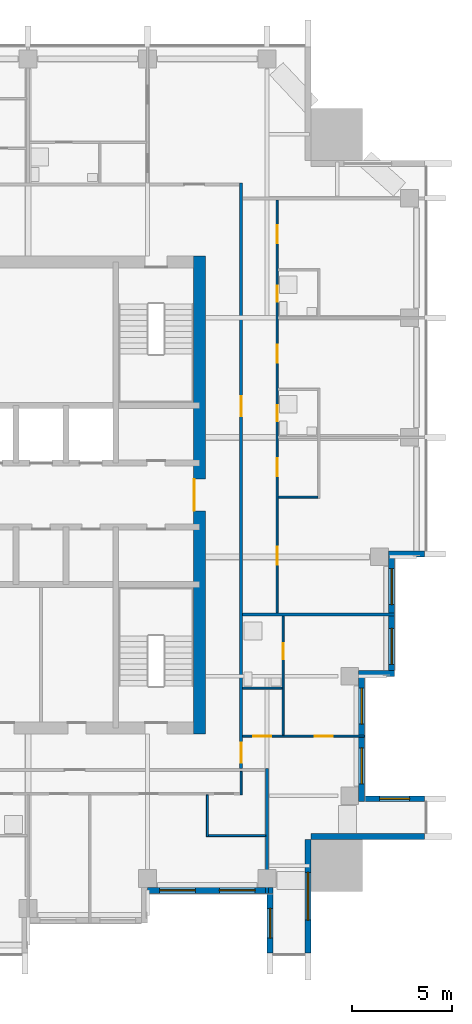
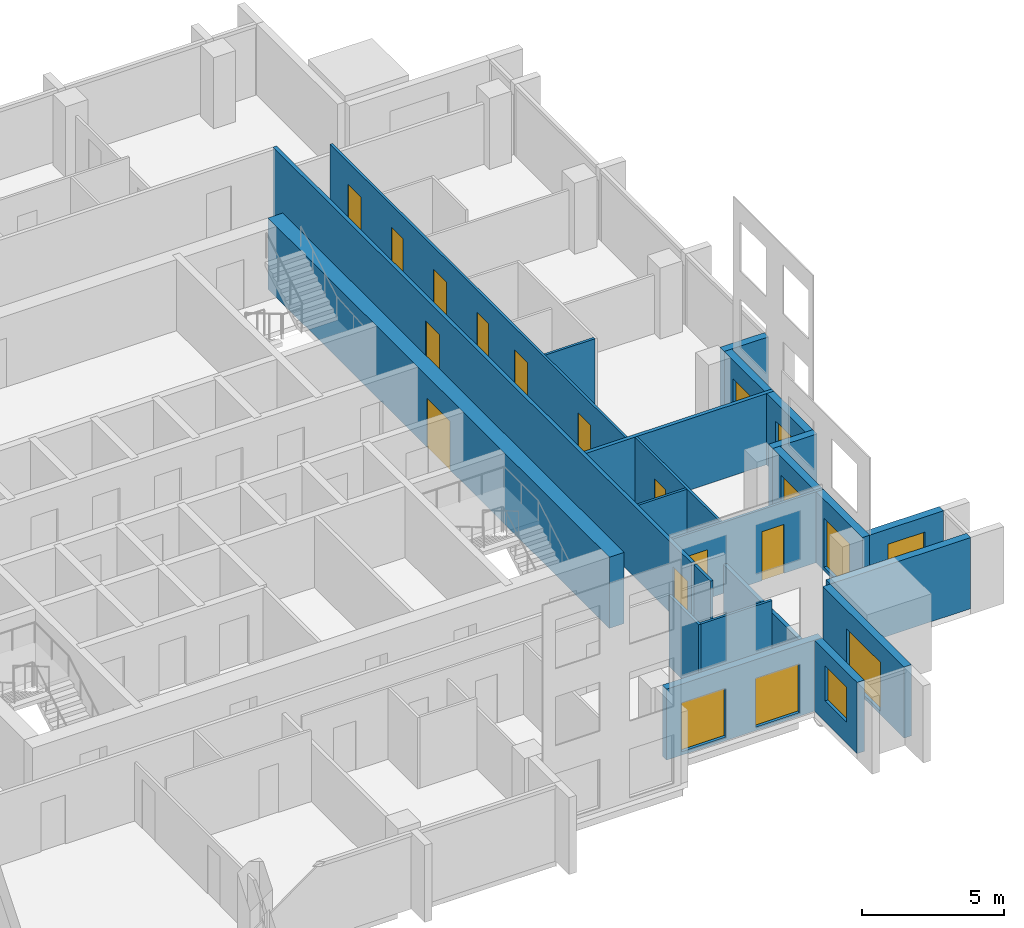
# One storey, part 6 of 12: 21 walls, 12 doors, 9 windows, 21 openings.
"""IFC4 building model written with IfcOpenShell, lengths in metres."""

from ifc_helpers import new_model, si_unit, direction, frame, frame_2d, origin, place, context, subcontext, project, spatial, rectangle, extrude, material, layer, layer_set, type_object, element, fill, save


model = new_model("IFC4")

# Units and contexts
model_context = context("Model", 3, precision=1e-05, world=origin(), true_north=direction((0.0, 1.0)))
body_context = subcontext(model_context, "Body", "Model", "MODEL_VIEW")
ifc_project = project(units=[si_unit("LENGTHUNIT", "METRE"), si_unit("AREAUNIT", "SQUARE_METRE"), si_unit("VOLUMEUNIT", "CUBIC_METRE"), si_unit("PLANEANGLEUNIT", "RADIAN"), si_unit("MASSUNIT", "GRAM", prefix="KILO")], contexts=[model_context])

# Site, building, storey
site_placement = place(None, origin())
site = spatial("IfcSite", under=ifc_project, at=site_placement, CompositionType="ELEMENT")
building_placement = place(site_placement, origin())
building = spatial("IfcBuilding", under=site, at=building_placement, Name="Amberfall Residences", CompositionType="ELEMENT")
storey_placement = place(building_placement, frame((0.0, 0.0, 187.0)))
storey = spatial("IfcBuildingStorey", under=building, at=storey_placement, Name="L49", CompositionType="ELEMENT", Elevation=187.0)

# Wall, opening, window
ifc_material_1 = material(Name="Pale stone cladding on insulated backing", Category="masonry")
ifc_layer_1 = layer(ifc_material_1, 0.300048828125)
ifc_layer_set_1 = layer_set([ifc_layer_1], Name="Bronze clad wall 300")
wall_type_1 = type_object("IfcWallType", Name="Bronze clad wall 300", PredefinedType="SOLIDWALL", material=ifc_layer_set_1)
wall_1_placement = place(storey_placement, frame((89.75, 25.5, 0.0), z_axis=(0.0, 0.0, 1.0), x_axis=(0.0, -1.0, 0.0)))
wall_1 = element("IfcWall", 1, at=wall_1_placement, inside=storey, type_object=wall_type_1, Name="External wall L49 S", PredefinedType="SOLIDWALL", context=body_context, shape_type="SweptSolid", body=[
    extrude(rectangle(XDim=3.0, YDim=0.300048828125, at=frame_2d((1.5, 0.0))), origin(), (0.0, 0.0, 1.0), 3.050048828125),
])
opening_1_placement = place(wall_1_placement, frame((0.75, 0.0, 0.89990234375)))
opening_1 = element("IfcOpeningElement", 2, at=opening_1_placement, cuts=wall_1, Name="Opening WN1", PredefinedType="OPENING", context=body_context, shape_type="SweptSolid", body=[
    extrude(rectangle(XDim=1.5, YDim=1.5, at=frame_2d((0.75, 0.75))), frame((0.0, 0.159912109375, 0.0), z_axis=(0.0, -1.0, 0.0), x_axis=(1.0, 0.0, 0.0)), (0.0, 0.0, 1.0), 0.320068359375),
])
ifc_material_2 = material(Name="Bronze aluminium framed glazing", Category="aluminium")
window_type_1 = type_object("IfcWindowType", Name="Window 1500 x 1500 bronze", PartitioningType="DOUBLE_PANEL_VERTICAL", PredefinedType="WINDOW", material=ifc_material_2)
window_1_placement = place(opening_1_placement, origin())
window_1 = element("IfcWindow", 3, at=window_1_placement, inside=storey, type_object=window_type_1, Name="Window L49 S", OverallHeight=1.5, OverallWidth=1.5, PartitioningType="DOUBLE_PANEL_VERTICAL", PredefinedType="WINDOW", context=body_context, shape_type="SweptSolid", body=[
    extrude(rectangle(XDim=1.5, YDim=1.5, at=frame_2d((0.75, 0.75))), frame((0.0, 0.030029296875, 0.0), z_axis=(0.0, -1.0, 0.0), x_axis=(1.0, 0.0, 0.0)), (0.0, 0.0, 1.0), 0.06005859375),
])
fill(opening_1, window_1)

wall_2_placement = place(storey_placement, frame((91.64990234375, 22.5, 0.0), z_axis=(0.0, 0.0, 1.0), x_axis=(0.0, 1.0, 0.0)))
wall_2 = element("IfcWall", 4, at=wall_2_placement, inside=storey, type_object=wall_type_1, Name="External wall L49 SE", PredefinedType="SOLIDWALL", context=body_context, shape_type="SweptSolid", body=[
    extrude(rectangle(XDim=5.699951171875, YDim=0.300048828125, at=frame_2d((2.85009765625, 0.0))), origin(), (0.0, 0.0, 1.0), 3.050048828125),
])
opening_2_placement = place(wall_2_placement, frame((1.64990234375, 0.0, 0.14990234375)))
opening_2 = element("IfcOpeningElement", 5, at=opening_2_placement, cuts=wall_2, Name="Opening WN5", PredefinedType="OPENING", context=body_context, shape_type="SweptSolid", body=[
    extrude(rectangle(XDim=2.39990234375, YDim=2.10009765625, at=frame_2d((1.199951171875, 1.050048828125))), frame((0.0, 0.159912109375, 0.0), z_axis=(0.0, -1.0, 0.0), x_axis=(1.0, 0.0, 0.0)), (0.0, 0.0, 1.0), 0.320068359375),
])
window_type_2 = type_object("IfcWindowType", Name="Glazed opening 2400 x 2100 bronze", PartitioningType="DOUBLE_PANEL_VERTICAL", PredefinedType="WINDOW", material=ifc_material_2)
window_2_placement = place(opening_2_placement, origin())
window_2 = element("IfcWindow", 6, at=window_2_placement, inside=storey, type_object=window_type_2, Name="Window L49 SE", OverallHeight=2.10009765625, OverallWidth=2.39990234375, PartitioningType="DOUBLE_PANEL_VERTICAL", PredefinedType="WINDOW", context=body_context, shape_type="SweptSolid", body=[
    extrude(rectangle(XDim=2.39990234375, YDim=2.10009765625, at=frame_2d((1.199951171875, 1.050048828125))), frame((0.0, 0.030029296875, 0.0), z_axis=(0.0, -1.0, 0.0), x_axis=(1.0, 0.0, 0.0)), (0.0, 0.0, 1.0), 0.06005859375),
])
fill(opening_2, window_2)

# Wall
wall_3_placement = place(storey_placement, frame((91.800048828125, 28.35009765625, 0.0), z_axis=(0.0, 0.0, 1.0), x_axis=(1.0, 0.0, 0.0)))
element("IfcWall", 7, at=wall_3_placement, inside=storey, type_object=wall_type_1, Name="External wall L49 SE", PredefinedType="SOLIDWALL", context=body_context, shape_type="SweptSolid", body=[
    extrude(rectangle(XDim=5.699951171875, YDim=0.300048828125, at=frame_2d((2.85009765625, 0.0))), origin(), (0.0, 0.0, 1.0), 3.050048828125),
])

# Wall, opening, window
wall_4_placement = place(storey_placement, frame((97.5, 30.25, 0.0), z_axis=(0.0, 0.0, 1.0), x_axis=(-1.0, 0.0, 0.0)))
wall_4 = element("IfcWall", 8, at=wall_4_placement, inside=storey, type_object=wall_type_1, Name="External wall L49 E", PredefinedType="SOLIDWALL", context=body_context, shape_type="SweptSolid", body=[
    extrude(rectangle(XDim=3.0, YDim=0.300048828125, at=frame_2d((1.5, 0.0))), origin(), (0.0, 0.0, 1.0), 3.050048828125),
])
opening_3_placement = place(wall_4_placement, frame((0.75, 0.0, 0.89990234375)))
opening_3 = element("IfcOpeningElement", 9, at=opening_3_placement, cuts=wall_4, Name="Opening WN1", PredefinedType="OPENING", context=body_context, shape_type="SweptSolid", body=[
    extrude(rectangle(XDim=1.5, YDim=1.5, at=frame_2d((0.75, 0.75))), frame((0.0, 0.159912109375, 0.0), z_axis=(0.0, -1.0, 0.0), x_axis=(1.0, 0.0, 0.0)), (0.0, 0.0, 1.0), 0.320068359375),
])
window_3_placement = place(opening_3_placement, origin())
window_3 = element("IfcWindow", 10, at=window_3_placement, inside=storey, type_object=window_type_1, Name="Window L49 E", OverallHeight=1.5, OverallWidth=1.5, PartitioningType="DOUBLE_PANEL_VERTICAL", PredefinedType="WINDOW", context=body_context, shape_type="SweptSolid", body=[
    extrude(rectangle(XDim=1.5, YDim=1.5, at=frame_2d((0.75, 0.75))), frame((0.0, 0.030029296875, 0.0), z_axis=(0.0, -1.0, 0.0), x_axis=(1.0, 0.0, 0.0)), (0.0, 0.0, 1.0), 0.06005859375),
])
fill(opening_3, window_3)

# Walls
for number, where, z_axis, x_axis, name in (
    (11, (94.199951171875, 36.550048828125, 0.0), (0.0, 0.0, 1.0), (1.0, 0.0, 0.0), "External wall L49 E"),
    (12, (95.699951171875, 42.550048828125, 0.0), (0.0, 0.0, 1.0), (1.0, 0.0, 0.0), "External wall L49 E"),
):
    element("IfcWall", number, at=place(storey_placement, frame(where, z_axis=z_axis, x_axis=x_axis)), inside=storey, type_object=wall_type_1, Name=name, PredefinedType="SOLIDWALL", context=body_context, shape_type="SweptSolid", body=[
        extrude(rectangle(XDim=1.800048828125, YDim=0.300048828125, at=frame_2d((0.89990234375, 0.0))), origin(), (0.0, 0.0, 1.0), 3.050048828125),
    ])

# Wall, openings, windows
wall_5_placement = place(storey_placement, frame((83.60009765625, 25.64990234375, 0.0), z_axis=(0.0, 0.0, 1.0), x_axis=(1.0, 0.0, 0.0)))
wall_5 = element("IfcWall", 13, at=wall_5_placement, inside=storey, type_object=wall_type_1, Name="Stone wall L49 S", PredefinedType="SOLIDWALL", context=body_context, shape_type="SweptSolid", body=[
    extrude(rectangle(XDim=6.2998046875, YDim=0.300048828125, at=frame_2d((3.14990234375, 0.0))), origin(), (0.0, 0.0, 1.0), 3.050048828125),
])
opening_4_placement = place(wall_5_placement, frame((0.60009765625, 0.0, 0.14990234375)))
opening_4 = element("IfcOpeningElement", 14, at=opening_4_placement, cuts=wall_5, Name="Opening WN6", PredefinedType="OPENING", context=body_context, shape_type="SweptSolid", body=[
    extrude(rectangle(XDim=1.800048828125, YDim=2.10009765625, at=frame_2d((0.89990234375, 1.050048828125))), frame((0.0, 0.159912109375, 0.0), z_axis=(0.0, -1.0, 0.0), x_axis=(1.0, 0.0, 0.0)), (0.0, 0.0, 1.0), 0.320068359375),
])
opening_5_placement = place(wall_5_placement, frame((3.60009765625, 0.0, 0.14990234375)))
opening_5 = element("IfcOpeningElement", 15, at=opening_5_placement, cuts=wall_5, Name="Opening WN6", PredefinedType="OPENING", context=body_context, shape_type="SweptSolid", body=[
    extrude(rectangle(XDim=1.800048828125, YDim=2.10009765625, at=frame_2d((0.89990234375, 1.050048828125))), frame((0.0, 0.159912109375, 0.0), z_axis=(0.0, -1.0, 0.0), x_axis=(1.0, 0.0, 0.0)), (0.0, 0.0, 1.0), 0.320068359375),
])
window_type_3 = type_object("IfcWindowType", Name="Glazed opening 1800 x 2100 bronze", PartitioningType="DOUBLE_PANEL_VERTICAL", PredefinedType="WINDOW", material=ifc_material_2)
window_4_placement = place(opening_4_placement, origin())
window_4 = element("IfcWindow", 16, at=window_4_placement, inside=storey, type_object=window_type_3, Name="Window L49 S", OverallHeight=2.10009765625, OverallWidth=1.800048828125, PartitioningType="DOUBLE_PANEL_VERTICAL", PredefinedType="WINDOW", context=body_context, shape_type="SweptSolid", body=[
    extrude(rectangle(XDim=1.800048828125, YDim=2.10009765625, at=frame_2d((0.89990234375, 1.050048828125))), frame((0.0, 0.030029296875, 0.0), z_axis=(0.0, -1.0, 0.0), x_axis=(1.0, 0.0, 0.0)), (0.0, 0.0, 1.0), 0.06005859375),
])
fill(opening_4, window_4)
window_5_placement = place(opening_5_placement, origin())
window_5 = element("IfcWindow", 17, at=window_5_placement, inside=storey, type_object=window_type_3, Name="Window L49 S", OverallHeight=2.10009765625, OverallWidth=1.800048828125, PartitioningType="DOUBLE_PANEL_VERTICAL", PredefinedType="WINDOW", context=body_context, shape_type="SweptSolid", body=[
    extrude(rectangle(XDim=1.800048828125, YDim=2.10009765625, at=frame_2d((0.89990234375, 1.050048828125))), frame((0.0, 0.030029296875, 0.0), z_axis=(0.0, -1.0, 0.0), x_axis=(1.0, 0.0, 0.0)), (0.0, 0.0, 1.0), 0.06005859375),
])
fill(opening_5, window_5)

wall_6_placement = place(storey_placement, frame((94.35009765625, 30.10009765625, 0.0), z_axis=(0.0, 0.0, 1.0), x_axis=(0.0, 1.0, 0.0)))
wall_6 = element("IfcWall", 18, at=wall_6_placement, inside=storey, type_object=wall_type_1, Name="Stone wall L49 E", PredefinedType="SOLIDWALL", context=body_context, shape_type="SweptSolid", body=[
    extrude(rectangle(XDim=6.2998046875, YDim=0.300048828125, at=frame_2d((3.14990234375, 0.0))), origin(), (0.0, 0.0, 1.0), 3.050048828125),
])
opening_6_placement = place(wall_6_placement, frame((0.89990234375, 0.0, 0.14990234375)))
opening_6 = element("IfcOpeningElement", 19, at=opening_6_placement, cuts=wall_6, Name="Opening WN6", PredefinedType="OPENING", context=body_context, shape_type="SweptSolid", body=[
    extrude(rectangle(XDim=1.800048828125, YDim=2.10009765625, at=frame_2d((0.89990234375, 1.050048828125))), frame((0.0, 0.159912109375, 0.0), z_axis=(0.0, -1.0, 0.0), x_axis=(1.0, 0.0, 0.0)), (0.0, 0.0, 1.0), 0.320068359375),
])
opening_7_placement = place(wall_6_placement, frame((3.89990234375, 0.0, 0.14990234375)))
opening_7 = element("IfcOpeningElement", 20, at=opening_7_placement, cuts=wall_6, Name="Opening WN6", PredefinedType="OPENING", context=body_context, shape_type="SweptSolid", body=[
    extrude(rectangle(XDim=1.800048828125, YDim=2.10009765625, at=frame_2d((0.89990234375, 1.050048828125))), frame((0.0, 0.159912109375, 0.0), z_axis=(0.0, -1.0, 0.0), x_axis=(1.0, 0.0, 0.0)), (0.0, 0.0, 1.0), 0.320068359375),
])
window_6_placement = place(opening_6_placement, origin())
window_6 = element("IfcWindow", 21, at=window_6_placement, inside=storey, type_object=window_type_3, Name="Window L49 E", OverallHeight=2.10009765625, OverallWidth=1.800048828125, PartitioningType="DOUBLE_PANEL_VERTICAL", PredefinedType="WINDOW", context=body_context, shape_type="SweptSolid", body=[
    extrude(rectangle(XDim=1.800048828125, YDim=2.10009765625, at=frame_2d((0.89990234375, 1.050048828125))), frame((0.0, 0.030029296875, 0.0), z_axis=(0.0, -1.0, 0.0), x_axis=(1.0, 0.0, 0.0)), (0.0, 0.0, 1.0), 0.06005859375),
])
fill(opening_6, window_6)
window_7_placement = place(opening_7_placement, origin())
window_7 = element("IfcWindow", 22, at=window_7_placement, inside=storey, type_object=window_type_3, Name="Window L49 E", OverallHeight=2.10009765625, OverallWidth=1.800048828125, PartitioningType="DOUBLE_PANEL_VERTICAL", PredefinedType="WINDOW", context=body_context, shape_type="SweptSolid", body=[
    extrude(rectangle(XDim=1.800048828125, YDim=2.10009765625, at=frame_2d((0.89990234375, 1.050048828125))), frame((0.0, 0.030029296875, 0.0), z_axis=(0.0, -1.0, 0.0), x_axis=(1.0, 0.0, 0.0)), (0.0, 0.0, 1.0), 0.06005859375),
])
fill(opening_7, window_7)

wall_7_placement = place(storey_placement, frame((95.85009765625, 36.699951171875, 0.0), z_axis=(0.0, 0.0, 1.0), x_axis=(0.0, 1.0, 0.0)))
wall_7 = element("IfcWall", 23, at=wall_7_placement, inside=storey, type_object=wall_type_1, Name="Stone wall L49 E", PredefinedType="SOLIDWALL", context=body_context, shape_type="SweptSolid", body=[
    extrude(rectangle(XDim=5.699951171875, YDim=0.300048828125, at=frame_2d((2.85009765625, 0.0))), origin(), (0.0, 0.0, 1.0), 3.050048828125),
])
opening_8_placement = place(wall_7_placement, frame((0.300048828125, 0.0, 0.14990234375)))
opening_8 = element("IfcOpeningElement", 24, at=opening_8_placement, cuts=wall_7, Name="Opening WN6", PredefinedType="OPENING", context=body_context, shape_type="SweptSolid", body=[
    extrude(rectangle(XDim=1.800048828125, YDim=2.10009765625, at=frame_2d((0.89990234375, 1.050048828125))), frame((0.0, 0.159912109375, 0.0), z_axis=(0.0, -1.0, 0.0), x_axis=(1.0, 0.0, 0.0)), (0.0, 0.0, 1.0), 0.320068359375),
])
opening_9_placement = place(wall_7_placement, frame((3.300048828125, 0.0, 0.14990234375)))
opening_9 = element("IfcOpeningElement", 25, at=opening_9_placement, cuts=wall_7, Name="Opening WN6", PredefinedType="OPENING", context=body_context, shape_type="SweptSolid", body=[
    extrude(rectangle(XDim=1.800048828125, YDim=2.10009765625, at=frame_2d((0.89990234375, 1.050048828125))), frame((0.0, 0.159912109375, 0.0), z_axis=(0.0, -1.0, 0.0), x_axis=(1.0, 0.0, 0.0)), (0.0, 0.0, 1.0), 0.320068359375),
])
window_8_placement = place(opening_8_placement, origin())
window_8 = element("IfcWindow", 26, at=window_8_placement, inside=storey, type_object=window_type_3, Name="Window L49 E", OverallHeight=2.10009765625, OverallWidth=1.800048828125, PartitioningType="DOUBLE_PANEL_VERTICAL", PredefinedType="WINDOW", context=body_context, shape_type="SweptSolid", body=[
    extrude(rectangle(XDim=1.800048828125, YDim=2.10009765625, at=frame_2d((0.89990234375, 1.050048828125))), frame((0.0, 0.030029296875, 0.0), z_axis=(0.0, -1.0, 0.0), x_axis=(1.0, 0.0, 0.0)), (0.0, 0.0, 1.0), 0.06005859375),
])
fill(opening_8, window_8)
window_9_placement = place(opening_9_placement, origin())
window_9 = element("IfcWindow", 27, at=window_9_placement, inside=storey, type_object=window_type_3, Name="Window L49 E", OverallHeight=2.10009765625, OverallWidth=1.800048828125, PartitioningType="DOUBLE_PANEL_VERTICAL", PredefinedType="WINDOW", context=body_context, shape_type="SweptSolid", body=[
    extrude(rectangle(XDim=1.800048828125, YDim=2.10009765625, at=frame_2d((0.89990234375, 1.050048828125))), frame((0.0, 0.030029296875, 0.0), z_axis=(0.0, -1.0, 0.0), x_axis=(1.0, 0.0, 0.0)), (0.0, 0.0, 1.0), 0.06005859375),
])
fill(opening_9, window_9)

# Wall, opening, door
ifc_material_3 = material(Name="Concrete C55", Category="concrete")
ifc_layer_2 = layer(ifc_material_3, 0.60009765625)
ifc_layer_set_2 = layer_set([ifc_layer_2], Name="Core wall 600 C55")
wall_type_2 = type_object("IfcWallType", Name="Core wall 600 C55", PredefinedType="SHEAR", material=ifc_layer_set_2)
wall_8_placement = place(storey_placement, frame((86.199951171875, 33.5, 0.0), z_axis=(0.0, 0.0, 1.0), x_axis=(0.0, 1.0, 0.0)))
wall_8 = element("IfcWall", 28, at=wall_8_placement, inside=storey, type_object=wall_type_2, Name="Core wall RW7 L49 OE", PredefinedType="SHEAR", context=body_context, shape_type="SweptSolid", body=[
    extrude(rectangle(XDim=24.0, YDim=0.60009765625, at=frame_2d((12.0, 0.0))), origin(), (0.0, 0.0, 1.0), 3.050048828125),
])
opening_10_placement = place(wall_8_placement, frame((11.199951171875, 0.0, 0.0)))
opening_10 = element("IfcOpeningElement", 29, at=opening_10_placement, cuts=wall_8, Name="Opening LB1", PredefinedType="OPENING", context=body_context, shape_type="SweptSolid", body=[
    extrude(rectangle(XDim=1.60009765625, YDim=2.10009765625, at=frame_2d((0.800048828125, 1.050048828125))), frame((0.0, 0.31005859375, 0.0), z_axis=(0.0, -1.0, 0.0), x_axis=(1.0, 0.0, 0.0)), (0.0, 0.0, 1.0), 0.6201171875),
])
ifc_material_4 = material(Name="Steel fire door set", Category="steel")
door_type_1 = type_object("IfcDoorType", Name="Lift lobby double door 1600 x 2100", OperationType="DOUBLE_DOOR_SINGLE_SWING", PredefinedType="DOOR", material=ifc_material_4)
door_1_placement = place(opening_10_placement, origin())
door_1 = element("IfcDoor", 30, at=door_1_placement, inside=storey, type_object=door_type_1, Name="LB1 L49", OperationType="DOUBLE_DOOR_SINGLE_SWING", OverallHeight=2.10009765625, OverallWidth=1.60009765625, PredefinedType="DOOR", context=body_context, shape_type="SweptSolid", body=[
    extrude(rectangle(XDim=1.60009765625, YDim=2.10009765625, at=frame_2d((0.800048828125, 1.050048828125))), frame((0.0, 0.28759765625, 0.0), z_axis=(0.0, -1.0, 0.0), x_axis=(1.0, 0.0, 0.0)), (0.0, 0.0, 1.0), 0.050048828125),
])
fill(opening_10, door_1)

# Walls
ifc_material_5 = material(Name="Gypsum board on metal stud")
ifc_layer_3 = layer(ifc_material_5, 0.10009765625)
ifc_layer_set_3 = layer_set([ifc_layer_3], Name="Flat partition 100")
wall_type_3 = type_object("IfcWallType", Name="Flat partition 100", PredefinedType="PARTITIONING", material=ifc_layer_set_3)
wall_9_placement = place(storey_placement, frame((86.60009765625, 28.35009765625, 0.0), z_axis=(0.0, 0.0, 1.0), x_axis=(0.0, 1.0, 0.0)))
element("IfcWall", 31, at=wall_9_placement, inside=storey, type_object=wall_type_3, Name="Partition 016", PredefinedType="PARTITIONING", context=body_context, shape_type="SweptSolid", body=[
    extrude(rectangle(XDim=2.099853515625, YDim=0.10009765625, at=frame_2d((1.0498046875, 0.0))), origin(), (0.0, 0.0, 1.0), 3.050048828125),
])
wall_10_placement = place(storey_placement, frame((88.300048828125, 30.449951171875, 0.0), z_axis=(0.0, 0.0, 1.0), x_axis=(0.0, 1.0, 0.0)))
element("IfcWall", 32, at=wall_10_placement, inside=storey, type_object=wall_type_3, Name="Partition 017", PredefinedType="PARTITIONING", context=body_context, shape_type="SweptSolid", body=[
    extrude(rectangle(XDim=1.175048828125, YDim=0.10009765625, at=frame_2d((0.58740234375, 0.0))), origin(), (0.0, 0.0, 1.0), 3.050048828125),
])

# Wall, openings, doors
wall_11_placement = place(storey_placement, frame((90.10009765625, 60.324951171875, 0.0), z_axis=(0.0, 0.0, 1.0), x_axis=(0.0, -1.0, 0.0)))
wall_11 = element("IfcWall", 33, at=wall_11_placement, inside=storey, type_object=wall_type_3, Name="Partition 018", PredefinedType="PARTITIONING", context=body_context, shape_type="SweptSolid", body=[
    extrude(rectangle(XDim=20.75, YDim=0.10009765625, at=frame_2d((10.375, 0.0))), origin(), (0.0, 0.0, 1.0), 3.050048828125),
])
opening_11_placement = place(wall_11_placement, frame((17.425048828125, 0.0, 0.0)))
opening_11 = element("IfcOpeningElement", 34, at=opening_11_placement, cuts=wall_11, Name="Opening D41", PredefinedType="OPENING", context=body_context, shape_type="SweptSolid", body=[
    extrude(rectangle(XDim=0.89990234375, YDim=2.10009765625, at=frame_2d((0.449951171875, 1.050048828125))), frame((0.0, 0.06005859375, 0.0), z_axis=(0.0, -1.0, 0.0), x_axis=(1.0, 0.0, 0.0)), (0.0, 0.0, 1.0), 0.1201171875),
])
opening_12_placement = place(wall_11_placement, frame((12.97509765625, 0.0, 0.0)))
opening_12 = element("IfcOpeningElement", 35, at=opening_12_placement, cuts=wall_11, Name="Opening D41", PredefinedType="OPENING", context=body_context, shape_type="SweptSolid", body=[
    extrude(rectangle(XDim=0.89990234375, YDim=2.10009765625, at=frame_2d((0.449951171875, 1.050048828125))), frame((0.0, 0.06005859375, 0.0), z_axis=(0.0, -1.0, 0.0), x_axis=(1.0, 0.0, 0.0)), (0.0, 0.0, 1.0), 0.1201171875),
])
opening_13_placement = place(wall_11_placement, frame((7.27490234375, 0.0, 0.0)))
opening_13 = element("IfcOpeningElement", 36, at=opening_13_placement, cuts=wall_11, Name="Opening D41", PredefinedType="OPENING", context=body_context, shape_type="SweptSolid", body=[
    extrude(rectangle(XDim=0.89990234375, YDim=2.10009765625, at=frame_2d((0.449951171875, 1.050048828125))), frame((0.0, 0.06005859375, 0.0), z_axis=(0.0, -1.0, 0.0), x_axis=(1.0, 0.0, 0.0)), (0.0, 0.0, 1.0), 0.1201171875),
])
opening_14_placement = place(wall_11_placement, frame((1.27490234375, 0.0, 0.0)))
opening_14 = element("IfcOpeningElement", 37, at=opening_14_placement, cuts=wall_11, Name="Opening D41", PredefinedType="OPENING", context=body_context, shape_type="SweptSolid", body=[
    extrude(rectangle(XDim=0.89990234375, YDim=2.10009765625, at=frame_2d((0.449951171875, 1.050048828125))), frame((0.0, 0.06005859375, 0.0), z_axis=(0.0, -1.0, 0.0), x_axis=(1.0, 0.0, 0.0)), (0.0, 0.0, 1.0), 0.1201171875),
])
opening_15_placement = place(wall_11_placement, frame((10.324951171875, 0.0, 0.0)))
opening_15 = element("IfcOpeningElement", 38, at=opening_15_placement, cuts=wall_11, Name="Opening D42", PredefinedType="OPENING", context=body_context, shape_type="SweptSolid", body=[
    extrude(rectangle(XDim=0.800048828125, YDim=2.10009765625, at=frame_2d((0.39990234375, 1.050048828125))), frame((0.0, 0.06005859375, 0.0), z_axis=(0.0, -1.0, 0.0), x_axis=(1.0, 0.0, 0.0)), (0.0, 0.0, 1.0), 0.1201171875),
])
opening_16_placement = place(wall_11_placement, frame((4.324951171875, 0.0, 0.0)))
opening_16 = element("IfcOpeningElement", 39, at=opening_16_placement, cuts=wall_11, Name="Opening D42", PredefinedType="OPENING", context=body_context, shape_type="SweptSolid", body=[
    extrude(rectangle(XDim=0.800048828125, YDim=2.10009765625, at=frame_2d((0.39990234375, 1.050048828125))), frame((0.0, 0.06005859375, 0.0), z_axis=(0.0, -1.0, 0.0), x_axis=(1.0, 0.0, 0.0)), (0.0, 0.0, 1.0), 0.1201171875),
])
ifc_material_6 = material(Name="Timber", Category="wood")
door_type_2 = type_object("IfcDoorType", Name="Bathroom door 800 x 2100", OperationType="SINGLE_SWING_LEFT", PredefinedType="DOOR", material=ifc_material_6)
door_2_placement = place(opening_15_placement, origin())
door_2 = element("IfcDoor", 40, at=door_2_placement, inside=storey, type_object=door_type_2, Name="Door 4904 bath1", OperationType="SINGLE_SWING_LEFT", OverallHeight=2.10009765625, OverallWidth=0.800048828125, PredefinedType="DOOR", context=body_context, shape_type="SweptSolid", body=[
    extrude(rectangle(XDim=0.800048828125, YDim=2.10009765625, at=frame_2d((0.39990234375, 1.050048828125))), frame((0.0, 0.02490234375, 0.0), z_axis=(0.0, -1.0, 0.0), x_axis=(1.0, 0.0, 0.0)), (0.0, 0.0, 1.0), 0.050048828125),
])
fill(opening_15, door_2)
door_3_placement = place(opening_16_placement, origin())
door_3 = element("IfcDoor", 41, at=door_3_placement, inside=storey, type_object=door_type_2, Name="Door 4904 bath2", OperationType="SINGLE_SWING_LEFT", OverallHeight=2.10009765625, OverallWidth=0.800048828125, PredefinedType="DOOR", context=body_context, shape_type="SweptSolid", body=[
    extrude(rectangle(XDim=0.800048828125, YDim=2.10009765625, at=frame_2d((0.39990234375, 1.050048828125))), frame((0.0, 0.02490234375, 0.0), z_axis=(0.0, -1.0, 0.0), x_axis=(1.0, 0.0, 0.0)), (0.0, 0.0, 1.0), 0.050048828125),
])
fill(opening_16, door_3)
door_type_3 = type_object("IfcDoorType", Name="Internal door 900 x 2100", OperationType="SINGLE_SWING_LEFT", PredefinedType="DOOR", material=ifc_material_6)
door_4_placement = place(opening_11_placement, origin())
door_4 = element("IfcDoor", 42, at=door_4_placement, inside=storey, type_object=door_type_3, Name="Door 4904 living", OperationType="SINGLE_SWING_LEFT", OverallHeight=2.10009765625, OverallWidth=0.89990234375, PredefinedType="DOOR", context=body_context, shape_type="SweptSolid", body=[
    extrude(rectangle(XDim=0.89990234375, YDim=2.10009765625, at=frame_2d((0.449951171875, 1.050048828125))), frame((0.0, 0.02490234375, 0.0), z_axis=(0.0, -1.0, 0.0), x_axis=(1.0, 0.0, 0.0)), (0.0, 0.0, 1.0), 0.050048828125),
])
fill(opening_11, door_4)
door_5_placement = place(opening_12_placement, origin())
door_5 = element("IfcDoor", 43, at=door_5_placement, inside=storey, type_object=door_type_3, Name="Door 4904 kitchen", OperationType="SINGLE_SWING_LEFT", OverallHeight=2.10009765625, OverallWidth=0.89990234375, PredefinedType="DOOR", context=body_context, shape_type="SweptSolid", body=[
    extrude(rectangle(XDim=0.89990234375, YDim=2.10009765625, at=frame_2d((0.449951171875, 1.050048828125))), frame((0.0, 0.02490234375, 0.0), z_axis=(0.0, -1.0, 0.0), x_axis=(1.0, 0.0, 0.0)), (0.0, 0.0, 1.0), 0.050048828125),
])
fill(opening_12, door_5)
door_6_placement = place(opening_13_placement, origin())
door_6 = element("IfcDoor", 44, at=door_6_placement, inside=storey, type_object=door_type_3, Name="Door 4904 bedroom1", OperationType="SINGLE_SWING_LEFT", OverallHeight=2.10009765625, OverallWidth=0.89990234375, PredefinedType="DOOR", context=body_context, shape_type="SweptSolid", body=[
    extrude(rectangle(XDim=0.89990234375, YDim=2.10009765625, at=frame_2d((0.449951171875, 1.050048828125))), frame((0.0, 0.02490234375, 0.0), z_axis=(0.0, -1.0, 0.0), x_axis=(1.0, 0.0, 0.0)), (0.0, 0.0, 1.0), 0.050048828125),
])
fill(opening_13, door_6)
door_7_placement = place(opening_14_placement, origin())
door_7 = element("IfcDoor", 45, at=door_7_placement, inside=storey, type_object=door_type_3, Name="Door 4904 bedroom2", OperationType="SINGLE_SWING_LEFT", OverallHeight=2.10009765625, OverallWidth=0.89990234375, PredefinedType="DOOR", context=body_context, shape_type="SweptSolid", body=[
    extrude(rectangle(XDim=0.89990234375, YDim=2.10009765625, at=frame_2d((0.449951171875, 1.050048828125))), frame((0.0, 0.02490234375, 0.0), z_axis=(0.0, -1.0, 0.0), x_axis=(1.0, 0.0, 0.0)), (0.0, 0.0, 1.0), 0.050048828125),
])
fill(opening_14, door_7)

# Wall, opening, door
wall_12_placement = place(storey_placement, frame((90.39990234375, 33.449951171875, 0.0), z_axis=(0.0, 0.0, 1.0), x_axis=(0.0, 1.0, 0.0)))
wall_12 = element("IfcWall", 46, at=wall_12_placement, inside=storey, type_object=wall_type_3, Name="Partition 019", PredefinedType="PARTITIONING", context=body_context, shape_type="SweptSolid", body=[
    extrude(rectangle(XDim=5.97509765625, YDim=0.10009765625, at=frame_2d((2.987548828125, 0.0))), origin(), (0.0, 0.0, 1.0), 3.050048828125),
])
opening_17_placement = place(wall_12_placement, frame((3.800048828125, 0.0, 0.0)))
opening_17 = element("IfcOpeningElement", 47, at=opening_17_placement, cuts=wall_12, Name="Opening D42", PredefinedType="OPENING", context=body_context, shape_type="SweptSolid", body=[
    extrude(rectangle(XDim=0.800048828125, YDim=2.10009765625, at=frame_2d((0.39990234375, 1.050048828125))), frame((0.0, 0.06005859375, 0.0), z_axis=(0.0, -1.0, 0.0), x_axis=(1.0, 0.0, 0.0)), (0.0, 0.0, 1.0), 0.1201171875),
])
door_8_placement = place(opening_17_placement, origin())
door_8 = element("IfcDoor", 48, at=door_8_placement, inside=storey, type_object=door_type_2, Name="Door 4903 bath1", OperationType="SINGLE_SWING_LEFT", OverallHeight=2.10009765625, OverallWidth=0.800048828125, PredefinedType="DOOR", context=body_context, shape_type="SweptSolid", body=[
    extrude(rectangle(XDim=0.800048828125, YDim=2.10009765625, at=frame_2d((0.39990234375, 1.050048828125))), frame((0.0, 0.02490234375, 0.0), z_axis=(0.0, -1.0, 0.0), x_axis=(1.0, 0.0, 0.0)), (0.0, 0.0, 1.0), 0.050048828125),
])
fill(opening_17, door_8)

# Walls
wall_13_placement = place(storey_placement, frame((90.14990234375, 45.39990234375, 0.0), z_axis=(0.0, 0.0, 1.0), x_axis=(1.0, 0.0, 0.0)))
element("IfcWall", 49, at=wall_13_placement, inside=storey, type_object=wall_type_3, Name="Partition 032", PredefinedType="PARTITIONING", context=body_context, shape_type="SweptSolid", body=[
    extrude(rectangle(XDim=2.0, YDim=0.10009765625, at=frame_2d((1.0, 0.0))), origin(), (0.0, 0.0, 1.0), 3.050048828125),
])
wall_14_placement = place(storey_placement, frame((88.375, 35.800048828125, 0.0), z_axis=(0.0, 0.0, 1.0), x_axis=(1.0, 0.0, 0.0)))
element("IfcWall", 50, at=wall_14_placement, inside=storey, type_object=wall_type_3, Name="Partition 036", PredefinedType="PARTITIONING", context=body_context, shape_type="SweptSolid", body=[
    extrude(rectangle(XDim=1.97509765625, YDim=0.10009765625, at=frame_2d((0.987548828125, 0.0))), origin(), (0.0, 0.0, 1.0), 3.050048828125),
])

# Wall, openings, doors
wall_15_placement = place(storey_placement, frame((88.375, 33.39990234375, 0.0), z_axis=(0.0, 0.0, 1.0), x_axis=(1.0, 0.0, 0.0)))
wall_15 = element("IfcWall", 51, at=wall_15_placement, inside=storey, type_object=wall_type_3, Name="Partition 037", PredefinedType="PARTITIONING", context=body_context, shape_type="SweptSolid", body=[
    extrude(rectangle(XDim=6.125, YDim=0.10009765625, at=frame_2d((3.0625, 0.0))), origin(), (0.0, 0.0, 1.0), 3.050048828125),
])
opening_18_placement = place(wall_15_placement, frame((0.52490234375, 0.0, 0.0)))
opening_18 = element("IfcOpeningElement", 52, at=opening_18_placement, cuts=wall_15, Name="Opening D41", PredefinedType="OPENING", context=body_context, shape_type="SweptSolid", body=[
    extrude(rectangle(XDim=0.89990234375, YDim=2.10009765625, at=frame_2d((0.449951171875, 1.050048828125))), frame((0.0, 0.06005859375, 0.0), z_axis=(0.0, -1.0, 0.0), x_axis=(1.0, 0.0, 0.0)), (0.0, 0.0, 1.0), 0.1201171875),
])
opening_19_placement = place(wall_15_placement, frame((3.625, 0.0, 0.0)))
opening_19 = element("IfcOpeningElement", 53, at=opening_19_placement, cuts=wall_15, Name="Opening D41", PredefinedType="OPENING", context=body_context, shape_type="SweptSolid", body=[
    extrude(rectangle(XDim=0.89990234375, YDim=2.10009765625, at=frame_2d((0.449951171875, 1.050048828125))), frame((0.0, 0.06005859375, 0.0), z_axis=(0.0, -1.0, 0.0), x_axis=(1.0, 0.0, 0.0)), (0.0, 0.0, 1.0), 0.1201171875),
])
door_9_placement = place(opening_18_placement, origin())
door_9 = element("IfcDoor", 54, at=door_9_placement, inside=storey, type_object=door_type_3, Name="Door 4903 kitchen", OperationType="SINGLE_SWING_LEFT", OverallHeight=2.10009765625, OverallWidth=0.89990234375, PredefinedType="DOOR", context=body_context, shape_type="SweptSolid", body=[
    extrude(rectangle(XDim=0.89990234375, YDim=2.10009765625, at=frame_2d((0.449951171875, 1.050048828125))), frame((0.0, 0.02490234375, 0.0), z_axis=(0.0, -1.0, 0.0), x_axis=(1.0, 0.0, 0.0)), (0.0, 0.0, 1.0), 0.050048828125),
])
fill(opening_18, door_9)
door_10_placement = place(opening_19_placement, origin())
door_10 = element("IfcDoor", 55, at=door_10_placement, inside=storey, type_object=door_type_3, Name="Door 4903 bedroom1", OperationType="SINGLE_SWING_LEFT", OverallHeight=2.10009765625, OverallWidth=0.89990234375, PredefinedType="DOOR", context=body_context, shape_type="SweptSolid", body=[
    extrude(rectangle(XDim=0.89990234375, YDim=2.10009765625, at=frame_2d((0.449951171875, 1.050048828125))), frame((0.0, 0.02490234375, 0.0), z_axis=(0.0, -1.0, 0.0), x_axis=(1.0, 0.0, 0.0)), (0.0, 0.0, 1.0), 0.050048828125),
])
fill(opening_19, door_10)

# Wall
wall_16_placement = place(storey_placement, frame((86.64990234375, 28.39990234375, 0.0), z_axis=(0.0, 0.0, 1.0), x_axis=(1.0, 0.0, 0.0)))
element("IfcWall", 56, at=wall_16_placement, inside=storey, type_object=wall_type_3, Name="Partition 043", PredefinedType="PARTITIONING", context=body_context, shape_type="SweptSolid", body=[
    extrude(rectangle(XDim=2.875, YDim=0.10009765625, at=frame_2d((1.4375, 0.0))), origin(), (0.0, 0.0, 1.0), 3.050048828125),
])

# Wall, openings, doors
ifc_material_7 = material(Name="Blockwork, plastered", Category="masonry")
ifc_layer_4 = layer(ifc_material_7, 0.14990234375)
ifc_layer_set_4 = layer_set([ifc_layer_4], Name="Flat separating wall 150")
wall_type_4 = type_object("IfcWallType", Name="Flat separating wall 150", PredefinedType="PARTITIONING", material=ifc_layer_set_4)
wall_17_placement = place(storey_placement, frame((88.300048828125, 61.175048828125, 0.0), z_axis=(0.0, 0.0, 1.0), x_axis=(0.0, -1.0, 0.0)))
wall_17 = element("IfcWall", 57, at=wall_17_placement, inside=storey, type_object=wall_type_4, Name="Separating wall 048", PredefinedType="PARTITIONING", context=body_context, shape_type="SweptSolid", body=[
    extrude(rectangle(XDim=29.400146484375, YDim=0.14990234375, at=frame_2d((14.7001953125, 0.0))), origin(), (0.0, 0.0, 1.0), 3.050048828125),
])
opening_20_placement = place(wall_17_placement, frame((28.125, 0.0, 0.0)))
opening_20 = element("IfcOpeningElement", 58, at=opening_20_placement, cuts=wall_17, Name="Opening D40", PredefinedType="OPENING", context=body_context, shape_type="SweptSolid", body=[
    extrude(rectangle(XDim=1.0, YDim=2.10009765625, at=frame_2d((0.5, 1.050048828125))), frame((0.0, 0.0849609375, 0.0), z_axis=(0.0, -1.0, 0.0), x_axis=(1.0, 0.0, 0.0)), (0.0, 0.0, 1.0), 0.169921875),
])
opening_21_placement = place(wall_17_placement, frame((10.72509765625, 0.0, 0.0)))
opening_21 = element("IfcOpeningElement", 59, at=opening_21_placement, cuts=wall_17, Name="Opening D40", PredefinedType="OPENING", context=body_context, shape_type="SweptSolid", body=[
    extrude(rectangle(XDim=1.0, YDim=2.10009765625, at=frame_2d((0.5, 1.050048828125))), frame((0.0, 0.0849609375, 0.0), z_axis=(0.0, -1.0, 0.0), x_axis=(1.0, 0.0, 0.0)), (0.0, 0.0, 1.0), 0.169921875),
])
ifc_material_8 = material(Name="Timber, fire-rated", Category="wood")
door_type_4 = type_object("IfcDoorType", Name="Flat entrance door FD60 1000 x 2100", OperationType="SINGLE_SWING_LEFT", PredefinedType="DOOR", material=ifc_material_8)
door_11_placement = place(opening_20_placement, origin())
door_11 = element("IfcDoor", 60, at=door_11_placement, inside=storey, type_object=door_type_4, Name="Door 4903 entrance", OperationType="SINGLE_SWING_LEFT", OverallHeight=2.10009765625, OverallWidth=1.0, PredefinedType="DOOR", context=body_context, shape_type="SweptSolid", body=[
    extrude(rectangle(XDim=1.0, YDim=2.10009765625, at=frame_2d((0.5, 1.050048828125))), frame((0.0, 0.02490234375, 0.0), z_axis=(0.0, -1.0, 0.0), x_axis=(1.0, 0.0, 0.0)), (0.0, 0.0, 1.0), 0.050048828125),
])
fill(opening_20, door_11)
door_12_placement = place(opening_21_placement, origin())
door_12 = element("IfcDoor", 61, at=door_12_placement, inside=storey, type_object=door_type_4, Name="Door 4904 entrance", OperationType="SINGLE_SWING_LEFT", OverallHeight=2.10009765625, OverallWidth=1.0, PredefinedType="DOOR", context=body_context, shape_type="SweptSolid", body=[
    extrude(rectangle(XDim=1.0, YDim=2.10009765625, at=frame_2d((0.5, 1.050048828125))), frame((0.0, 0.02490234375, 0.0), z_axis=(0.0, -1.0, 0.0), x_axis=(1.0, 0.0, 0.0)), (0.0, 0.0, 1.0), 0.050048828125),
])
fill(opening_21, door_12)

# Walls
wall_18_placement = place(storey_placement, frame((89.60009765625, 25.5, 0.0), z_axis=(0.0, 0.0, 1.0), x_axis=(0.0, 1.0, 0.0)))
element("IfcWall", 62, at=wall_18_placement, inside=storey, type_object=wall_type_4, Name="Separating wall 049", PredefinedType="PARTITIONING", context=body_context, shape_type="SweptSolid", body=[
    extrude(rectangle(XDim=6.27490234375, YDim=0.14990234375, at=frame_2d((3.137451171875, 0.0))), origin(), (0.0, 0.0, 1.0), 2.51611328125),
])
wall_19_placement = place(storey_placement, frame((88.375, 39.5, 0.0), z_axis=(0.0, 0.0, 1.0), x_axis=(1.0, 0.0, 0.0)))
element("IfcWall", 63, at=wall_19_placement, inside=storey, type_object=wall_type_4, Name="Separating wall 053", PredefinedType="PARTITIONING", context=body_context, shape_type="SweptSolid", body=[
    extrude(rectangle(XDim=7.625, YDim=0.14990234375, at=frame_2d((3.8125, 0.0))), origin(), (0.0, 0.0, 1.0), 3.050048828125),
])

save(model, "model.ifc")
